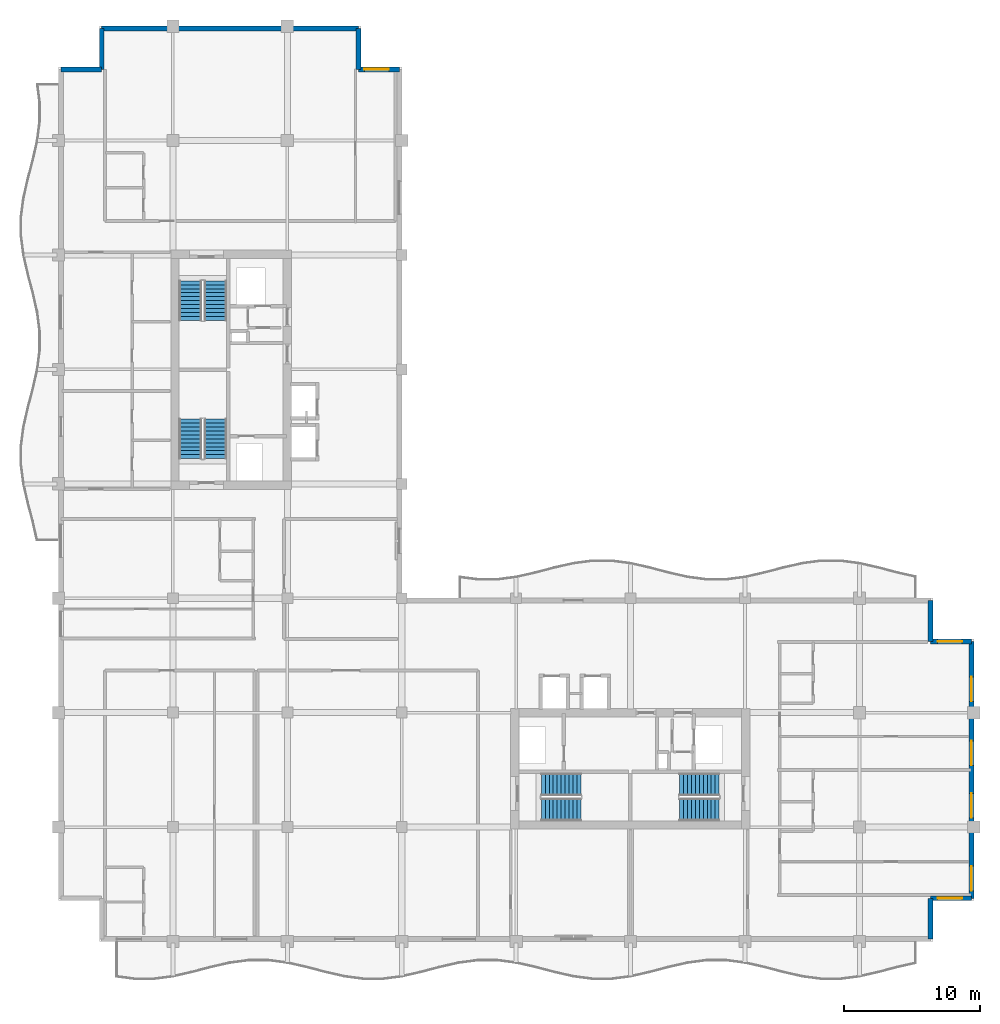
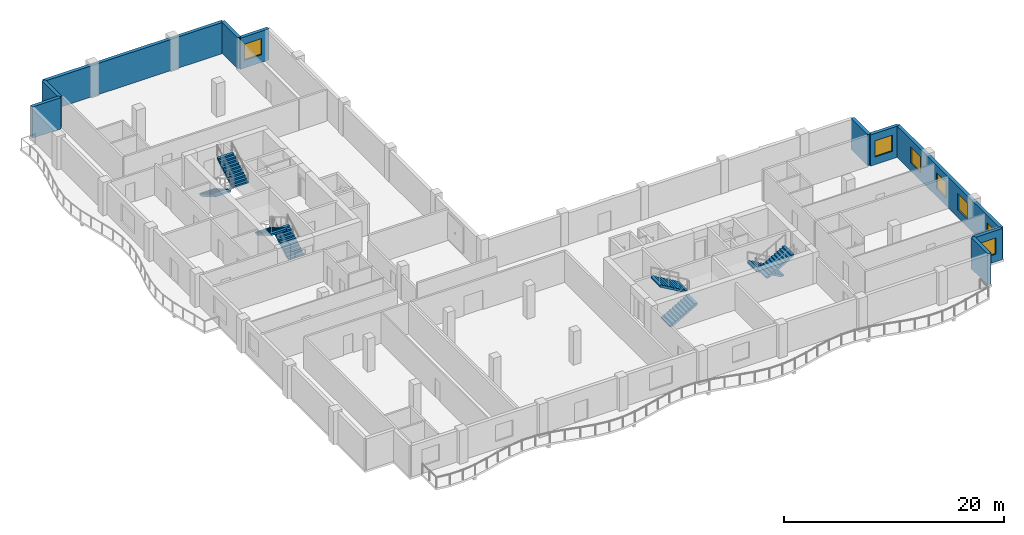
# One storey, part 8 of 12: 10 walls, 8 stair flights, 7 windows, 7 openings, 4 elements without a shape of their own.
"""IFC4 building model written with IfcOpenShell, lengths in metres."""

from ifc_helpers import new_model, si_unit, direction, frame, frame_2d, origin, place, context, subcontext, project, spatial, polyline, rectangle, outline, extrude, material, layer, layer_set, type_object, element, fill, aggregate, save


model = new_model("IFC4")

# Units and contexts
model_context = context("Model", 3, precision=1e-05, world=origin(), true_north=direction((0.0, 1.0)))
body_context = subcontext(model_context, "Body", "Model", "MODEL_VIEW")
ifc_project = project(units=[si_unit("LENGTHUNIT", "METRE"), si_unit("AREAUNIT", "SQUARE_METRE"), si_unit("VOLUMEUNIT", "CUBIC_METRE"), si_unit("PLANEANGLEUNIT", "RADIAN"), si_unit("MASSUNIT", "GRAM", prefix="KILO")], contexts=[model_context])

# Site, building, storey
site_placement = place(None, origin())
site = spatial("IfcSite", under=ifc_project, at=site_placement, CompositionType="ELEMENT")
building_placement = place(site_placement, origin())
building = spatial("IfcBuilding", under=site, at=building_placement, Name="Koriwani Terraces Tower", CompositionType="ELEMENT")
storey_placement = place(building_placement, frame((0.0, 0.0, 271.199951171875)))
storey = spatial("IfcBuildingStorey", under=building, at=storey_placement, Name="L67", CompositionType="ELEMENT", Elevation=271.199951171875)

# Walls
ifc_material_1 = material(Name="Concrete C50/60", Category="concrete")
ifc_layer = layer(ifc_material_1, 0.35009765625, Name="Concrete C50/60")
ifc_layer_set = layer_set([ifc_layer], Name="Concrete C50/60")
wall_type = type_object("IfcWallType", Name="WALL_EXT_BRUTALIST_350", PredefinedType="STANDARD", material=ifc_layer_set)
for number, where, z_axis, x_axis, name in (
    (1, (8.574951171875, 72.425048828125, 0.0), (0.0, 0.0, 1.0), (1.0, 0.0, 0.0), "L67 Fair-Faced Brutalist Exterior Wall (N3)"),
    (2, (11.574951171875, 72.425048828125, 0.0), (0.0, 0.0, 1.0), (0.0, 1.0, 0.0), "L67 Fair-Faced Brutalist Exterior Wall (N4)"),
):
    element("IfcWall", number, at=place(storey_placement, frame(where, z_axis=z_axis, x_axis=x_axis)), inside=storey, type_object=wall_type, Name=name, PredefinedType="STANDARD", context=body_context, shape_type="SweptSolid", body=[
        extrude(rectangle(XDim=3.0, YDim=0.35009765625, at=frame_2d((1.5, 0.0))), origin(), (0.0, 0.0, 1.0), 3.469970703125),
    ])
wall_1_placement = place(storey_placement, frame((11.574951171875, 75.425048828125, 0.0), z_axis=(0.0, 0.0, 1.0), x_axis=(1.0, 0.0, 0.0)))
element("IfcWall", 3, at=wall_1_placement, inside=storey, type_object=wall_type, Name="L67 Fair-Faced Brutalist Exterior Wall (N_TIP)", PredefinedType="STANDARD", context=body_context, shape_type="SweptSolid", body=[
    extrude(rectangle(XDim=18.85009765625, YDim=0.35009765625, at=frame_2d((9.425048828125, 0.0))), origin(), (0.0, 0.0, 1.0), 3.469970703125),
])
wall_2_placement = place(storey_placement, frame((30.425048828125, 75.425048828125, 0.0), z_axis=(0.0, 0.0, 1.0), x_axis=(0.0, -1.0, 0.0)))
element("IfcWall", 4, at=wall_2_placement, inside=storey, type_object=wall_type, Name="L67 Fair-Faced Brutalist Exterior Wall (N6)", PredefinedType="STANDARD", context=body_context, shape_type="SweptSolid", body=[
    extrude(rectangle(XDim=3.0, YDim=0.35009765625, at=frame_2d((1.5, 0.0))), origin(), (0.0, 0.0, 1.0), 3.469970703125),
])

# Wall, opening, window
wall_3_placement = place(storey_placement, frame((30.425048828125, 72.425048828125, 0.0), z_axis=(0.0, 0.0, 1.0), x_axis=(1.0, 0.0, 0.0)))
wall_3 = element("IfcWall", 5, at=wall_3_placement, inside=storey, type_object=wall_type, Name="L67 Fair-Faced Brutalist Exterior Wall (N7)", PredefinedType="STANDARD", context=body_context, shape_type="SweptSolid", body=[
    extrude(rectangle(XDim=3.0, YDim=0.35009765625, at=frame_2d((1.5, 0.0))), origin(), (0.0, 0.0, 1.0), 3.469970703125),
])
opening_1_placement = place(wall_3_placement, frame((0.4375, 0.0, 0.85009765625)))
opening_1 = element("IfcOpeningElement", 6, at=opening_1_placement, cuts=wall_3, Name="Opening W-04", PredefinedType="OPENING", context=body_context, shape_type="SweptSolid", body=[
    extrude(rectangle(XDim=1.800048828125, YDim=1.800048828125, at=frame_2d((0.89990234375, 0.89990234375))), frame((0.0, 0.18505859375, 0.0), z_axis=(0.0, -1.0, 0.0), x_axis=(1.0, 0.0, 0.0)), (0.0, 0.0, 1.0), 0.3701171875),
])
ifc_material_2 = material(Name="Tempered Laminated Low-E Glass", Category="glass")
window_type = type_object("IfcWindowType", Name="WIN_RES_BED_1800X1800", PartitioningType="DOUBLE_PANEL_VERTICAL", PredefinedType="WINDOW", material=ifc_material_2)
window_1_placement = place(opening_1_placement, origin())
window_1 = element("IfcWindow", 7, at=window_1_placement, inside=storey, type_object=window_type, Name="L67 Exterior Window (N7-R43)", OverallHeight=1.800048828125, OverallWidth=1.800048828125, PartitioningType="SINGLE_PANEL", PredefinedType="WINDOW", context=body_context, shape_type="SweptSolid", body=[
    extrude(rectangle(XDim=1.800048828125, YDim=1.800048828125, at=frame_2d((0.89990234375, 0.89990234375))), frame((0.0, 0.030029296875, 0.0), z_axis=(0.0, -1.0, 0.0), x_axis=(1.0, 0.0, 0.0)), (0.0, 0.0, 1.0), 0.06005859375),
])
fill(opening_1, window_1)

# Wall
wall_4_placement = place(storey_placement, frame((72.425048828125, 33.425048828125, 0.0), z_axis=(0.0, 0.0, 1.0), x_axis=(0.0, -1.0, 0.0)))
element("IfcWall", 8, at=wall_4_placement, inside=storey, type_object=wall_type, Name="L67 Fair-Faced Brutalist Exterior Wall (N10)", PredefinedType="STANDARD", context=body_context, shape_type="SweptSolid", body=[
    extrude(rectangle(XDim=3.0, YDim=0.35009765625, at=frame_2d((1.5, 0.0))), origin(), (0.0, 0.0, 1.0), 3.469970703125),
])

# Wall, opening, window
wall_5_placement = place(storey_placement, frame((72.425048828125, 30.425048828125, 0.0), z_axis=(0.0, 0.0, 1.0), x_axis=(1.0, 0.0, 0.0)))
wall_5 = element("IfcWall", 9, at=wall_5_placement, inside=storey, type_object=wall_type, Name="L67 Fair-Faced Brutalist Exterior Wall (N11)", PredefinedType="STANDARD", context=body_context, shape_type="SweptSolid", body=[
    extrude(rectangle(XDim=3.0, YDim=0.35009765625, at=frame_2d((1.5, 0.0))), origin(), (0.0, 0.0, 1.0), 3.469970703125),
])
opening_2_placement = place(wall_5_placement, frame((0.507568359375, 0.0, 0.85009765625)))
opening_2 = element("IfcOpeningElement", 10, at=opening_2_placement, cuts=wall_5, Name="Opening W-04", PredefinedType="OPENING", context=body_context, shape_type="SweptSolid", body=[
    extrude(rectangle(XDim=1.800048828125, YDim=1.800048828125, at=frame_2d((0.89990234375, 0.89990234375))), frame((0.0, 0.18505859375, 0.0), z_axis=(0.0, -1.0, 0.0), x_axis=(1.0, 0.0, 0.0)), (0.0, 0.0, 1.0), 0.3701171875),
])
window_2_placement = place(opening_2_placement, origin())
window_2 = element("IfcWindow", 11, at=window_2_placement, inside=storey, type_object=window_type, Name="L67 Exterior Window (N11-R52)", OverallHeight=1.800048828125, OverallWidth=1.800048828125, PartitioningType="SINGLE_PANEL", PredefinedType="WINDOW", context=body_context, shape_type="SweptSolid", body=[
    extrude(rectangle(XDim=1.800048828125, YDim=1.800048828125, at=frame_2d((0.89990234375, 0.89990234375))), frame((0.0, 0.030029296875, 0.0), z_axis=(0.0, -1.0, 0.0), x_axis=(1.0, 0.0, 0.0)), (0.0, 0.0, 1.0), 0.06005859375),
])
fill(opening_2, window_2)

# Wall, openings, windows
wall_6_placement = place(storey_placement, frame((75.425048828125, 30.425048828125, 0.0), z_axis=(0.0, 0.0, 1.0), x_axis=(0.0, -1.0, 0.0)))
wall_6 = element("IfcWall", 12, at=wall_6_placement, inside=storey, type_object=wall_type, Name="L67 Fair-Faced Brutalist Exterior Wall (E_TIP)", PredefinedType="STANDARD", context=body_context, shape_type="SweptSolid", body=[
    extrude(rectangle(XDim=18.85009765625, YDim=0.35009765625, at=frame_2d((9.425048828125, 0.0))), origin(), (0.0, 0.0, 1.0), 3.469970703125),
])
opening_3_placement = place(wall_6_placement, frame((16.5, 0.0, 0.85009765625)))
opening_3 = element("IfcOpeningElement", 13, at=opening_3_placement, cuts=wall_6, Name="Opening W-04", PredefinedType="OPENING", context=body_context, shape_type="SweptSolid", body=[
    extrude(rectangle(XDim=1.800048828125, YDim=1.800048828125, at=frame_2d((0.89990234375, 0.89990234375))), frame((0.0, 0.18505859375, 0.0), z_axis=(0.0, -1.0, 0.0), x_axis=(1.0, 0.0, 0.0)), (0.0, 0.0, 1.0), 0.3701171875),
])
opening_4_placement = place(wall_6_placement, frame((11.14990234375, 0.0, 0.85009765625)))
opening_4 = element("IfcOpeningElement", 14, at=opening_4_placement, cuts=wall_6, Name="Opening W-04", PredefinedType="OPENING", context=body_context, shape_type="SweptSolid", body=[
    extrude(rectangle(XDim=1.800048828125, YDim=1.800048828125, at=frame_2d((0.89990234375, 0.89990234375))), frame((0.0, 0.18505859375, 0.0), z_axis=(0.0, -1.0, 0.0), x_axis=(1.0, 0.0, 0.0)), (0.0, 0.0, 1.0), 0.3701171875),
])
opening_5_placement = place(wall_6_placement, frame((7.300048828125, 0.0, 0.85009765625)))
opening_5 = element("IfcOpeningElement", 15, at=opening_5_placement, cuts=wall_6, Name="Opening W-04", PredefinedType="OPENING", context=body_context, shape_type="SweptSolid", body=[
    extrude(rectangle(XDim=1.800048828125, YDim=1.800048828125, at=frame_2d((0.89990234375, 0.89990234375))), frame((0.0, 0.18505859375, 0.0), z_axis=(0.0, -1.0, 0.0), x_axis=(1.0, 0.0, 0.0)), (0.0, 0.0, 1.0), 0.3701171875),
])
opening_6_placement = place(wall_6_placement, frame((2.60009765625, 0.0, 0.85009765625)))
opening_6 = element("IfcOpeningElement", 16, at=opening_6_placement, cuts=wall_6, Name="Opening W-04", PredefinedType="OPENING", context=body_context, shape_type="SweptSolid", body=[
    extrude(rectangle(XDim=1.800048828125, YDim=1.800048828125, at=frame_2d((0.89990234375, 0.89990234375))), frame((0.0, 0.18505859375, 0.0), z_axis=(0.0, -1.0, 0.0), x_axis=(1.0, 0.0, 0.0)), (0.0, 0.0, 1.0), 0.3701171875),
])
window_3_placement = place(opening_3_placement, origin())
window_3 = element("IfcWindow", 17, at=window_3_placement, inside=storey, type_object=window_type, Name="L67 Exterior Window (E_TIP-R47)", OverallHeight=1.800048828125, OverallWidth=1.800048828125, PartitioningType="SINGLE_PANEL", PredefinedType="WINDOW", context=body_context, shape_type="SweptSolid", body=[
    extrude(rectangle(XDim=1.800048828125, YDim=1.800048828125, at=frame_2d((0.89990234375, 0.89990234375))), frame((0.0, 0.030029296875, 0.0), z_axis=(0.0, -1.0, 0.0), x_axis=(1.0, 0.0, 0.0)), (0.0, 0.0, 1.0), 0.06005859375),
])
fill(opening_3, window_3)
window_4_placement = place(opening_4_placement, origin())
window_4 = element("IfcWindow", 18, at=window_4_placement, inside=storey, type_object=window_type, Name="L67 Exterior Window (E_TIP-R48)", OverallHeight=1.800048828125, OverallWidth=1.800048828125, PartitioningType="SINGLE_PANEL", PredefinedType="WINDOW", context=body_context, shape_type="SweptSolid", body=[
    extrude(rectangle(XDim=1.800048828125, YDim=1.800048828125, at=frame_2d((0.89990234375, 0.89990234375))), frame((0.0, 0.030029296875, 0.0), z_axis=(0.0, -1.0, 0.0), x_axis=(1.0, 0.0, 0.0)), (0.0, 0.0, 1.0), 0.06005859375),
])
fill(opening_4, window_4)
window_5_placement = place(opening_5_placement, origin())
window_5 = element("IfcWindow", 19, at=window_5_placement, inside=storey, type_object=window_type, Name="L67 Exterior Window (E_TIP-R51)", OverallHeight=1.800048828125, OverallWidth=1.800048828125, PartitioningType="SINGLE_PANEL", PredefinedType="WINDOW", context=body_context, shape_type="SweptSolid", body=[
    extrude(rectangle(XDim=1.800048828125, YDim=1.800048828125, at=frame_2d((0.89990234375, 0.89990234375))), frame((0.0, 0.030029296875, 0.0), z_axis=(0.0, -1.0, 0.0), x_axis=(1.0, 0.0, 0.0)), (0.0, 0.0, 1.0), 0.06005859375),
])
fill(opening_5, window_5)
window_6_placement = place(opening_6_placement, origin())
window_6 = element("IfcWindow", 20, at=window_6_placement, inside=storey, type_object=window_type, Name="L67 Exterior Window (E_TIP-R52)", OverallHeight=1.800048828125, OverallWidth=1.800048828125, PartitioningType="SINGLE_PANEL", PredefinedType="WINDOW", context=body_context, shape_type="SweptSolid", body=[
    extrude(rectangle(XDim=1.800048828125, YDim=1.800048828125, at=frame_2d((0.89990234375, 0.89990234375))), frame((0.0, 0.030029296875, 0.0), z_axis=(0.0, -1.0, 0.0), x_axis=(1.0, 0.0, 0.0)), (0.0, 0.0, 1.0), 0.06005859375),
])
fill(opening_6, window_6)

# Wall, opening, window
wall_7_placement = place(storey_placement, frame((75.425048828125, 11.574951171875, 0.0), z_axis=(0.0, 0.0, 1.0), x_axis=(-1.0, 0.0, 0.0)))
wall_7 = element("IfcWall", 21, at=wall_7_placement, inside=storey, type_object=wall_type, Name="L67 Fair-Faced Brutalist Exterior Wall (N13)", PredefinedType="STANDARD", context=body_context, shape_type="SweptSolid", body=[
    extrude(rectangle(XDim=3.0, YDim=0.35009765625, at=frame_2d((1.5, 0.0))), origin(), (0.0, 0.0, 1.0), 3.469970703125),
])
opening_7_placement = place(wall_7_placement, frame((0.6923828125, 0.0, 0.85009765625)))
opening_7 = element("IfcOpeningElement", 22, at=opening_7_placement, cuts=wall_7, Name="Opening W-04", PredefinedType="OPENING", context=body_context, shape_type="SweptSolid", body=[
    extrude(rectangle(XDim=1.800048828125, YDim=1.800048828125, at=frame_2d((0.89990234375, 0.89990234375))), frame((0.0, 0.18505859375, 0.0), z_axis=(0.0, -1.0, 0.0), x_axis=(1.0, 0.0, 0.0)), (0.0, 0.0, 1.0), 0.3701171875),
])
window_7_placement = place(opening_7_placement, origin())
window_7 = element("IfcWindow", 23, at=window_7_placement, inside=storey, type_object=window_type, Name="L67 Exterior Window (N13-R47)", OverallHeight=1.800048828125, OverallWidth=1.800048828125, PartitioningType="SINGLE_PANEL", PredefinedType="WINDOW", context=body_context, shape_type="SweptSolid", body=[
    extrude(rectangle(XDim=1.800048828125, YDim=1.800048828125, at=frame_2d((0.89990234375, 0.89990234375))), frame((0.0, 0.030029296875, 0.0), z_axis=(0.0, -1.0, 0.0), x_axis=(1.0, 0.0, 0.0)), (0.0, 0.0, 1.0), 0.06005859375),
])
fill(opening_7, window_7)

# Wall
wall_8_placement = place(storey_placement, frame((72.425048828125, 11.574951171875, 0.0), z_axis=(0.0, 0.0, 1.0), x_axis=(0.0, -1.0, 0.0)))
element("IfcWall", 24, at=wall_8_placement, inside=storey, type_object=wall_type, Name="L67 Fair-Faced Brutalist Exterior Wall (N14)", PredefinedType="STANDARD", context=body_context, shape_type="SweptSolid", body=[
    extrude(rectangle(XDim=3.0, YDim=0.35009765625, at=frame_2d((1.5, 0.0))), origin(), (0.0, 0.0, 1.0), 3.469970703125),
])

# Stair, stair flights
ifc_material_3 = material(Name="Concrete C40/50", Category="concrete")
stair_type = type_object("IfcStairType", Name="STAIR_CORE_DOGLEG_1650", PredefinedType="TWO_STRAIGHT_RUN_STAIR", material=ifc_material_3)
stair_1_placement = place(storey_placement, origin())
stair_1 = element("IfcStair", 25, at=stair_1_placement, inside=storey, type_object=stair_type, Name="L67 West Core Exit Stair 1", PredefinedType="HALF_TURN_STAIR")
stair_flight_type = type_object("IfcStairFlightType", Name="STAIR_FLIGHT_RC_1650", PredefinedType="STRAIGHT", material=ifc_material_3)
stair_flight_1_placement = place(storey_placement, frame((19.925048828125, 43.85009765625, 0.0), z_axis=(0.0, 0.0, 1.0), x_axis=(0.0, 1.0, 0.0)))
stair_flight_1 = element("IfcStairFlight", 26, at=stair_flight_1_placement, type_object=stair_flight_type, Name="ST-W1 flight 1", NumberOfRisers=11, NumberOfTreads=10, PredefinedType="STRAIGHT", RiserHeight=0.168181818, TreadLength=0.29, context=body_context, shape_type="SweptSolid", body=[
    extrude(outline(polyline([(0.0, 0.0), (0.0, 0.168212890625), (0.2900390625, 0.168212890625), (0.2900390625, 0.33642578125), (0.580078125, 0.33642578125), (0.580078125, 0.504638671875), (0.8701171875, 0.504638671875), (0.8701171875, 0.672607421875), (1.159912109375, 0.672607421875), (1.159912109375, 0.8408203125), (1.449951171875, 0.8408203125), (1.449951171875, 1.009033203125), (1.739990234375, 1.009033203125), (1.739990234375, 1.17724609375), (2.030029296875, 1.17724609375), (2.030029296875, 1.345458984375), (2.320068359375, 1.345458984375), (2.320068359375, 1.513671875), (2.610107421875, 1.513671875), (2.610107421875, 1.681884765625), (2.89990234375, 1.681884765625), (2.89990234375, 1.85009765625), (2.89990234375, 1.473876953125), (0.358642578125, 0.0), (0.0, 0.0)])), frame((0.0, 0.824951171875, 0.0), z_axis=(0.0, -1.0, 0.0), x_axis=(1.0, 0.0, 0.0)), (0.0, 0.0, 1.0), 1.64990234375),
])
stair_flight_2_placement = place(storey_placement, frame((18.074951171875, 46.75, 1.85009765625), z_axis=(0.0, 0.0, 1.0), x_axis=(0.0, -1.0, 0.0)))
stair_flight_2 = element("IfcStairFlight", 27, at=stair_flight_2_placement, type_object=stair_flight_type, Name="ST-W1 flight 2", NumberOfRisers=11, NumberOfTreads=10, PredefinedType="STRAIGHT", RiserHeight=0.168181818, TreadLength=0.29, context=body_context, shape_type="SweptSolid", body=[
    extrude(outline(polyline([(0.0, 0.0), (0.0, 0.168212890625), (0.2900390625, 0.168212890625), (0.2900390625, 0.33642578125), (0.580078125, 0.33642578125), (0.580078125, 0.504638671875), (0.8701171875, 0.504638671875), (0.8701171875, 0.672607421875), (1.159912109375, 0.672607421875), (1.159912109375, 0.8408203125), (1.449951171875, 0.8408203125), (1.449951171875, 1.009033203125), (1.739990234375, 1.009033203125), (1.739990234375, 1.17724609375), (2.030029296875, 1.17724609375), (2.030029296875, 1.345458984375), (2.320068359375, 1.345458984375), (2.320068359375, 1.513671875), (2.610107421875, 1.513671875), (2.610107421875, 1.681884765625), (2.89990234375, 1.681884765625), (2.89990234375, 1.85009765625), (2.89990234375, 1.473876953125), (0.358642578125, 0.0), (0.0, 0.0)])), frame((0.0, 0.824951171875, 0.0), z_axis=(0.0, -1.0, 0.0), x_axis=(1.0, 0.0, 0.0)), (0.0, 0.0, 1.0), 1.64990234375),
])
aggregate(stair_1, [stair_flight_1, stair_flight_2])

stair_2_placement = place(storey_placement, origin())
stair_2 = element("IfcStair", 28, at=stair_2_placement, inside=storey, type_object=stair_type, Name="L67 West Core Exit Stair 2", PredefinedType="HALF_TURN_STAIR")
stair_flight_3_placement = place(storey_placement, frame((18.074951171875, 56.89990234375, 0.0), z_axis=(0.0, 0.0, 1.0), x_axis=(0.0, -1.0, 0.0)))
stair_flight_3 = element("IfcStairFlight", 29, at=stair_flight_3_placement, type_object=stair_flight_type, Name="ST-W2 flight 1", NumberOfRisers=11, NumberOfTreads=10, PredefinedType="STRAIGHT", RiserHeight=0.168181818, TreadLength=0.29, context=body_context, shape_type="SweptSolid", body=[
    extrude(outline(polyline([(0.0, 0.0), (0.0, 0.168212890625), (0.2900390625, 0.168212890625), (0.2900390625, 0.33642578125), (0.580078125, 0.33642578125), (0.580078125, 0.504638671875), (0.8701171875, 0.504638671875), (0.8701171875, 0.672607421875), (1.159912109375, 0.672607421875), (1.159912109375, 0.8408203125), (1.449951171875, 0.8408203125), (1.449951171875, 1.009033203125), (1.739990234375, 1.009033203125), (1.739990234375, 1.17724609375), (2.030029296875, 1.17724609375), (2.030029296875, 1.345458984375), (2.320068359375, 1.345458984375), (2.320068359375, 1.513671875), (2.610107421875, 1.513671875), (2.610107421875, 1.681884765625), (2.89990234375, 1.681884765625), (2.89990234375, 1.85009765625), (2.89990234375, 1.473876953125), (0.358642578125, 0.0), (0.0, 0.0)])), frame((0.0, 0.824951171875, 0.0), z_axis=(0.0, -1.0, 0.0), x_axis=(1.0, 0.0, 0.0)), (0.0, 0.0, 1.0), 1.64990234375),
])
stair_flight_4_placement = place(storey_placement, frame((19.925048828125, 54.0, 1.85009765625), z_axis=(0.0, 0.0, 1.0), x_axis=(0.0, 1.0, 0.0)))
stair_flight_4 = element("IfcStairFlight", 30, at=stair_flight_4_placement, type_object=stair_flight_type, Name="ST-W2 flight 2", NumberOfRisers=11, NumberOfTreads=10, PredefinedType="STRAIGHT", RiserHeight=0.168181818, TreadLength=0.29, context=body_context, shape_type="SweptSolid", body=[
    extrude(outline(polyline([(0.0, 0.0), (0.0, 0.168212890625), (0.2900390625, 0.168212890625), (0.2900390625, 0.33642578125), (0.580078125, 0.33642578125), (0.580078125, 0.504638671875), (0.8701171875, 0.504638671875), (0.8701171875, 0.672607421875), (1.159912109375, 0.672607421875), (1.159912109375, 0.8408203125), (1.449951171875, 0.8408203125), (1.449951171875, 1.009033203125), (1.739990234375, 1.009033203125), (1.739990234375, 1.17724609375), (2.030029296875, 1.17724609375), (2.030029296875, 1.345458984375), (2.320068359375, 1.345458984375), (2.320068359375, 1.513671875), (2.610107421875, 1.513671875), (2.610107421875, 1.681884765625), (2.89990234375, 1.681884765625), (2.89990234375, 1.85009765625), (2.89990234375, 1.473876953125), (0.358642578125, 0.0), (0.0, 0.0)])), frame((0.0, 0.824951171875, 0.0), z_axis=(0.0, -1.0, 0.0), x_axis=(1.0, 0.0, 0.0)), (0.0, 0.0, 1.0), 1.64990234375),
])
aggregate(stair_2, [stair_flight_3, stair_flight_4])

stair_3_placement = place(storey_placement, origin())
stair_3 = element("IfcStair", 31, at=stair_3_placement, inside=storey, type_object=stair_type, Name="L67 East Core Exit Stair 1", PredefinedType="HALF_TURN_STAIR")
stair_flight_5_placement = place(storey_placement, frame((43.85009765625, 18.074951171875, 0.0), z_axis=(0.0, 0.0, 1.0), x_axis=(1.0, 0.0, 0.0)))
stair_flight_5 = element("IfcStairFlight", 32, at=stair_flight_5_placement, type_object=stair_flight_type, Name="ST-E1 flight 1", NumberOfRisers=11, NumberOfTreads=10, PredefinedType="STRAIGHT", RiserHeight=0.168181818, TreadLength=0.29, context=body_context, shape_type="SweptSolid", body=[
    extrude(outline(polyline([(0.0, 0.0), (0.0, 0.168212890625), (0.2900390625, 0.168212890625), (0.2900390625, 0.33642578125), (0.580078125, 0.33642578125), (0.580078125, 0.504638671875), (0.8701171875, 0.504638671875), (0.8701171875, 0.672607421875), (1.159912109375, 0.672607421875), (1.159912109375, 0.8408203125), (1.449951171875, 0.8408203125), (1.449951171875, 1.009033203125), (1.739990234375, 1.009033203125), (1.739990234375, 1.17724609375), (2.030029296875, 1.17724609375), (2.030029296875, 1.345458984375), (2.320068359375, 1.345458984375), (2.320068359375, 1.513671875), (2.610107421875, 1.513671875), (2.610107421875, 1.681884765625), (2.89990234375, 1.681884765625), (2.89990234375, 1.85009765625), (2.89990234375, 1.473876953125), (0.358642578125, 0.0), (0.0, 0.0)])), frame((0.0, 0.824951171875, 0.0), z_axis=(0.0, -1.0, 0.0), x_axis=(1.0, 0.0, 0.0)), (0.0, 0.0, 1.0), 1.64990234375),
])
stair_flight_6_placement = place(storey_placement, frame((46.75, 19.925048828125, 1.85009765625), z_axis=(0.0, 0.0, 1.0), x_axis=(-1.0, 0.0, 0.0)))
stair_flight_6 = element("IfcStairFlight", 33, at=stair_flight_6_placement, type_object=stair_flight_type, Name="ST-E1 flight 2", NumberOfRisers=11, NumberOfTreads=10, PredefinedType="STRAIGHT", RiserHeight=0.168181818, TreadLength=0.29, context=body_context, shape_type="SweptSolid", body=[
    extrude(outline(polyline([(0.0, 0.0), (0.0, 0.168212890625), (0.2900390625, 0.168212890625), (0.2900390625, 0.33642578125), (0.580078125, 0.33642578125), (0.580078125, 0.504638671875), (0.8701171875, 0.504638671875), (0.8701171875, 0.672607421875), (1.159912109375, 0.672607421875), (1.159912109375, 0.8408203125), (1.449951171875, 0.8408203125), (1.449951171875, 1.009033203125), (1.739990234375, 1.009033203125), (1.739990234375, 1.17724609375), (2.030029296875, 1.17724609375), (2.030029296875, 1.345458984375), (2.320068359375, 1.345458984375), (2.320068359375, 1.513671875), (2.610107421875, 1.513671875), (2.610107421875, 1.681884765625), (2.89990234375, 1.681884765625), (2.89990234375, 1.85009765625), (2.89990234375, 1.473876953125), (0.358642578125, 0.0), (0.0, 0.0)])), frame((0.0, 0.824951171875, 0.0), z_axis=(0.0, -1.0, 0.0), x_axis=(1.0, 0.0, 0.0)), (0.0, 0.0, 1.0), 1.64990234375),
])
aggregate(stair_3, [stair_flight_5, stair_flight_6])

stair_4_placement = place(storey_placement, origin())
stair_4 = element("IfcStair", 34, at=stair_4_placement, inside=storey, type_object=stair_type, Name="L67 East Core Exit Stair 2", PredefinedType="HALF_TURN_STAIR")
stair_flight_7_placement = place(storey_placement, frame((56.89990234375, 19.925048828125, 0.0), z_axis=(0.0, 0.0, 1.0), x_axis=(-1.0, 0.0, 0.0)))
stair_flight_7 = element("IfcStairFlight", 35, at=stair_flight_7_placement, type_object=stair_flight_type, Name="ST-E2 flight 1", NumberOfRisers=11, NumberOfTreads=10, PredefinedType="STRAIGHT", RiserHeight=0.168181818, TreadLength=0.29, context=body_context, shape_type="SweptSolid", body=[
    extrude(outline(polyline([(0.0, 0.0), (0.0, 0.168212890625), (0.2900390625, 0.168212890625), (0.2900390625, 0.33642578125), (0.580078125, 0.33642578125), (0.580078125, 0.504638671875), (0.8701171875, 0.504638671875), (0.8701171875, 0.672607421875), (1.159912109375, 0.672607421875), (1.159912109375, 0.8408203125), (1.449951171875, 0.8408203125), (1.449951171875, 1.009033203125), (1.739990234375, 1.009033203125), (1.739990234375, 1.17724609375), (2.030029296875, 1.17724609375), (2.030029296875, 1.345458984375), (2.320068359375, 1.345458984375), (2.320068359375, 1.513671875), (2.610107421875, 1.513671875), (2.610107421875, 1.681884765625), (2.89990234375, 1.681884765625), (2.89990234375, 1.85009765625), (2.89990234375, 1.473876953125), (0.358642578125, 0.0), (0.0, 0.0)])), frame((0.0, 0.824951171875, 0.0), z_axis=(0.0, -1.0, 0.0), x_axis=(1.0, 0.0, 0.0)), (0.0, 0.0, 1.0), 1.64990234375),
])
stair_flight_8_placement = place(storey_placement, frame((54.0, 18.074951171875, 1.85009765625), z_axis=(0.0, 0.0, 1.0), x_axis=(1.0, 0.0, 0.0)))
stair_flight_8 = element("IfcStairFlight", 36, at=stair_flight_8_placement, type_object=stair_flight_type, Name="ST-E2 flight 2", NumberOfRisers=11, NumberOfTreads=10, PredefinedType="STRAIGHT", RiserHeight=0.168181818, TreadLength=0.29, context=body_context, shape_type="SweptSolid", body=[
    extrude(outline(polyline([(0.0, 0.0), (0.0, 0.168212890625), (0.2900390625, 0.168212890625), (0.2900390625, 0.33642578125), (0.580078125, 0.33642578125), (0.580078125, 0.504638671875), (0.8701171875, 0.504638671875), (0.8701171875, 0.672607421875), (1.159912109375, 0.672607421875), (1.159912109375, 0.8408203125), (1.449951171875, 0.8408203125), (1.449951171875, 1.009033203125), (1.739990234375, 1.009033203125), (1.739990234375, 1.17724609375), (2.030029296875, 1.17724609375), (2.030029296875, 1.345458984375), (2.320068359375, 1.345458984375), (2.320068359375, 1.513671875), (2.610107421875, 1.513671875), (2.610107421875, 1.681884765625), (2.89990234375, 1.681884765625), (2.89990234375, 1.85009765625), (2.89990234375, 1.473876953125), (0.358642578125, 0.0), (0.0, 0.0)])), frame((0.0, 0.824951171875, 0.0), z_axis=(0.0, -1.0, 0.0), x_axis=(1.0, 0.0, 0.0)), (0.0, 0.0, 1.0), 1.64990234375),
])
aggregate(stair_4, [stair_flight_7, stair_flight_8])

save(model, "model.ifc")
